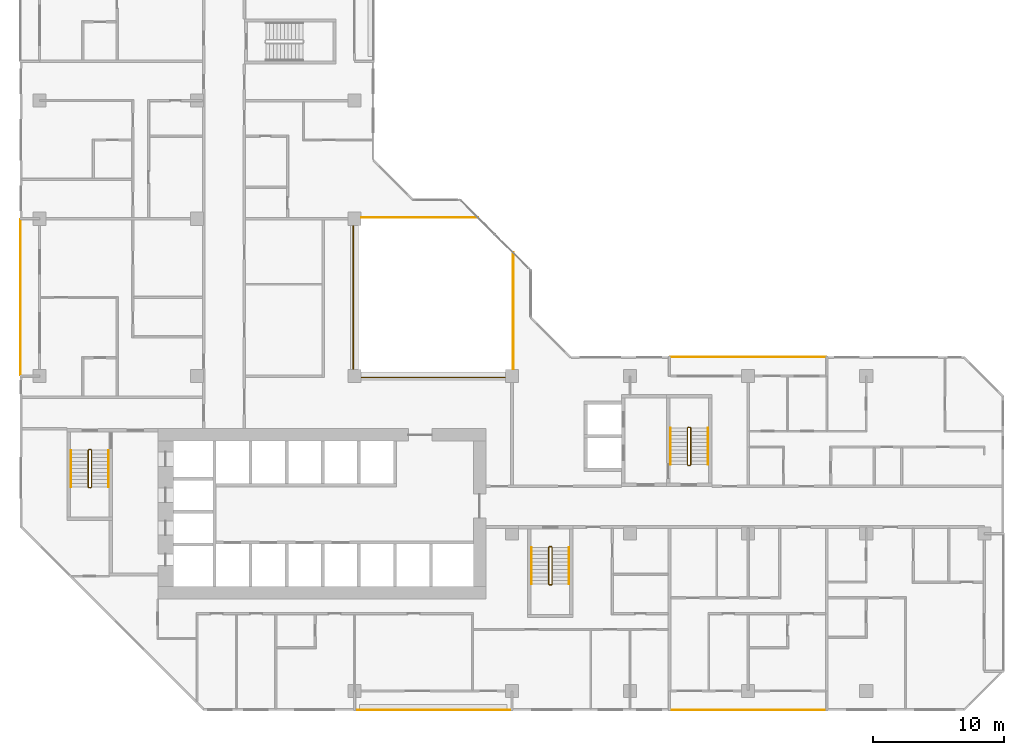
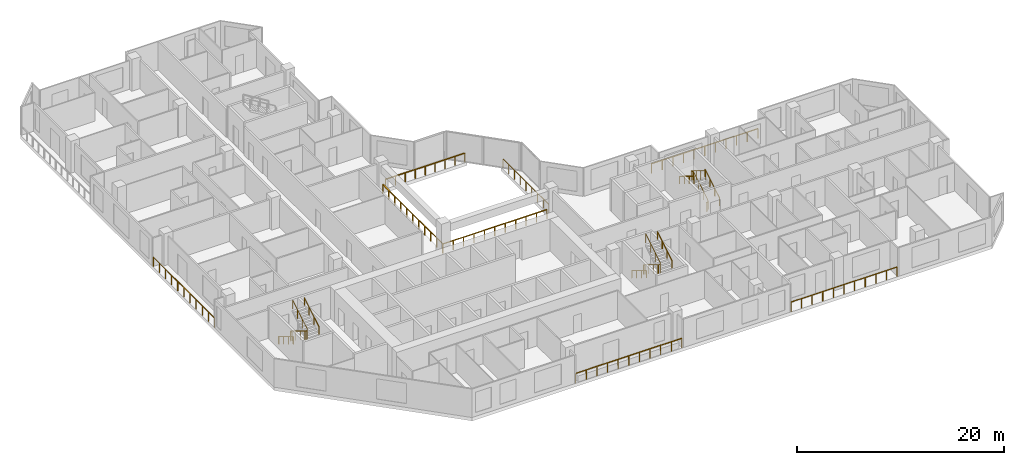
# One storey, part 13 of 14: 16 railings.
"""IFC4 building model written with IfcOpenShell, lengths in metres."""

from ifc_helpers import new_model, si_unit, direction, frame, origin, origin_2d, place, context, subcontext, project, spatial, rectangle, extrude, material, type_object, element, save


model = new_model("IFC4")

# Units and contexts
model_context = context("Model", 3, precision=1e-05, world=origin(), true_north=direction((0.0, 1.0)))
body_context = subcontext(model_context, "Body", "Model", "MODEL_VIEW")
ifc_project = project(units=[si_unit("LENGTHUNIT", "METRE"), si_unit("AREAUNIT", "SQUARE_METRE"), si_unit("VOLUMEUNIT", "CUBIC_METRE"), si_unit("PLANEANGLEUNIT", "RADIAN"), si_unit("MASSUNIT", "GRAM", prefix="KILO")], contexts=[model_context])

# Site, building, storey
site_placement = place(None, origin())
site = spatial("IfcSite", under=ifc_project, at=site_placement, CompositionType="ELEMENT")
building_placement = place(site_placement, origin())
building = spatial("IfcBuilding", under=site, at=building_placement, Name="Chenar Terraces", CompositionType="ELEMENT")
storey_placement = place(building_placement, frame((0.0, 0.0, 110.64990234375)))
storey = spatial("IfcBuildingStorey", under=building, at=storey_placement, Name="L25", CompositionType="ELEMENT", Elevation=110.64990234375)

# Railings
ifc_material_1 = material(Name="Powder-coated steel", Category="steel")
railing_type_1 = type_object("IfcRailingType", Name="Guard 1100 steel rail with glass infill", PredefinedType="GUARDRAIL", material=ifc_material_1)
railing_1_placement = place(storey_placement, frame((23.89990234375, 35.5, 0.0)))
element("IfcRailing", 1, at=railing_1_placement, inside=storey, type_object=railing_type_1, Name="Guard L25-1", PredefinedType="GUARDRAIL", context=body_context, shape_type="SweptSolid", body=[
    extrude(rectangle(XDim=0.06005859375, YDim=0.06005859375, at=origin_2d()), frame((0.0, 0.0, 1.070068359375), z_axis=(0.0, -1.0, 0.0), x_axis=(1.0, 0.0, 0.0)), (0.0, 0.0, 1.0), 11.60009765625),
    extrude(rectangle(XDim=0.06005859375, YDim=0.06005859375, at=origin_2d()), frame((0.0, -11.60009765625, 1.070068359375), z_axis=(1.0, 0.0, 0.0), x_axis=(0.0, 1.0, 0.0)), (0.0, 0.0, 1.0), 11.60009765625),
    extrude(rectangle(XDim=0.050048828125, YDim=0.050048828125, at=origin_2d()), origin(), (0.0, 0.0, 1.0), 1.0400390625),
    extrude(rectangle(XDim=0.050048828125, YDim=0.050048828125, at=origin_2d()), frame((0.0, -1.159912109375, 0.0)), (0.0, 0.0, 1.0), 1.0400390625),
    extrude(rectangle(XDim=0.050048828125, YDim=0.050048828125, at=origin_2d()), frame((0.0, -2.320068359375, 0.0)), (0.0, 0.0, 1.0), 1.0400390625),
    extrude(rectangle(XDim=0.050048828125, YDim=0.050048828125, at=origin_2d()), frame((0.0, -3.47998046875, 0.0)), (0.0, 0.0, 1.0), 1.0400390625),
    extrude(rectangle(XDim=0.050048828125, YDim=0.050048828125, at=origin_2d()), frame((0.0, -4.64013671875, 0.0)), (0.0, 0.0, 1.0), 1.0400390625),
    extrude(rectangle(XDim=0.050048828125, YDim=0.050048828125, at=origin_2d()), frame((0.0, -5.800048828125, 0.0)), (0.0, 0.0, 1.0), 1.0400390625),
    extrude(rectangle(XDim=0.050048828125, YDim=0.050048828125, at=origin_2d()), frame((0.0, -6.9599609375, 0.0)), (0.0, 0.0, 1.0), 1.0400390625),
    extrude(rectangle(XDim=0.050048828125, YDim=0.050048828125, at=origin_2d()), frame((0.0, -8.1201171875, 0.0)), (0.0, 0.0, 1.0), 1.0400390625),
    extrude(rectangle(XDim=0.050048828125, YDim=0.050048828125, at=origin_2d()), frame((0.0, -9.280029296875, 0.0)), (0.0, 0.0, 1.0), 1.0400390625),
    extrude(rectangle(XDim=0.050048828125, YDim=0.050048828125, at=origin_2d()), frame((0.0, -10.440185546875, 0.0)), (0.0, 0.0, 1.0), 1.0400390625),
    extrude(rectangle(XDim=0.050048828125, YDim=0.050048828125, at=origin_2d()), frame((0.0, -11.60009765625, 0.0)), (0.0, 0.0, 1.0), 1.0400390625),
    extrude(rectangle(XDim=0.050048828125, YDim=0.050048828125, at=origin_2d()), frame((1.159912109375, -11.60009765625, 0.0)), (0.0, 0.0, 1.0), 1.0400390625),
    extrude(rectangle(XDim=0.050048828125, YDim=0.050048828125, at=origin_2d()), frame((2.320068359375, -11.60009765625, 0.0)), (0.0, 0.0, 1.0), 1.0400390625),
    extrude(rectangle(XDim=0.050048828125, YDim=0.050048828125, at=origin_2d()), frame((3.47998046875, -11.60009765625, 0.0)), (0.0, 0.0, 1.0), 1.0400390625),
    extrude(rectangle(XDim=0.050048828125, YDim=0.050048828125, at=origin_2d()), frame((4.64013671875, -11.60009765625, 0.0)), (0.0, 0.0, 1.0), 1.0400390625),
    extrude(rectangle(XDim=0.050048828125, YDim=0.050048828125, at=origin_2d()), frame((5.800048828125, -11.60009765625, 0.0)), (0.0, 0.0, 1.0), 1.0400390625),
    extrude(rectangle(XDim=0.050048828125, YDim=0.050048828125, at=origin_2d()), frame((6.9599609375, -11.60009765625, 0.0)), (0.0, 0.0, 1.0), 1.0400390625),
    extrude(rectangle(XDim=0.050048828125, YDim=0.050048828125, at=origin_2d()), frame((8.1201171875, -11.60009765625, 0.0)), (0.0, 0.0, 1.0), 1.0400390625),
    extrude(rectangle(XDim=0.050048828125, YDim=0.050048828125, at=origin_2d()), frame((9.280029296875, -11.60009765625, 0.0)), (0.0, 0.0, 1.0), 1.0400390625),
    extrude(rectangle(XDim=0.050048828125, YDim=0.050048828125, at=origin_2d()), frame((10.440185546875, -11.60009765625, 0.0)), (0.0, 0.0, 1.0), 1.0400390625),
    extrude(rectangle(XDim=0.050048828125, YDim=0.050048828125, at=origin_2d()), frame((11.60009765625, -11.60009765625, 0.0)), (0.0, 0.0, 1.0), 1.0400390625),
])
railing_2_placement = place(storey_placement, frame((24.550048828125, 36.10009765625, 0.0)))
element("IfcRailing", 2, at=railing_2_placement, inside=storey, type_object=railing_type_1, Name="Guard L25-2", PredefinedType="GUARDRAIL", context=body_context, shape_type="SweptSolid", body=[
    extrude(rectangle(XDim=0.06005859375, YDim=0.06005859375, at=origin_2d()), frame((0.0, 0.0, 1.070068359375), z_axis=(1.0, 0.0, 0.0), x_axis=(0.0, 1.0, 0.0)), (0.0, 0.0, 1.0), 8.849853515625),
    extrude(rectangle(XDim=0.050048828125, YDim=0.050048828125, at=origin_2d()), origin(), (0.0, 0.0, 1.0), 1.0400390625),
    extrude(rectangle(XDim=0.050048828125, YDim=0.050048828125, at=origin_2d()), frame((1.106201171875, 0.0, 0.0)), (0.0, 0.0, 1.0), 1.0400390625),
    extrude(rectangle(XDim=0.050048828125, YDim=0.050048828125, at=origin_2d()), frame((2.21240234375, 0.0, 0.0)), (0.0, 0.0, 1.0), 1.0400390625),
    extrude(rectangle(XDim=0.050048828125, YDim=0.050048828125, at=origin_2d()), frame((3.318603515625, 0.0, 0.0)), (0.0, 0.0, 1.0), 1.0400390625),
    extrude(rectangle(XDim=0.050048828125, YDim=0.050048828125, at=origin_2d()), frame((4.4248046875, 0.0, 0.0)), (0.0, 0.0, 1.0), 1.0400390625),
    extrude(rectangle(XDim=0.050048828125, YDim=0.050048828125, at=origin_2d()), frame((5.53125, 0.0, 0.0)), (0.0, 0.0, 1.0), 1.0400390625),
    extrude(rectangle(XDim=0.050048828125, YDim=0.050048828125, at=origin_2d()), frame((6.637451171875, 0.0, 0.0)), (0.0, 0.0, 1.0), 1.0400390625),
    extrude(rectangle(XDim=0.050048828125, YDim=0.050048828125, at=origin_2d()), frame((7.74365234375, 0.0, 0.0)), (0.0, 0.0, 1.0), 1.0400390625),
    extrude(rectangle(XDim=0.050048828125, YDim=0.050048828125, at=origin_2d()), frame((8.849853515625, 0.0, 0.0)), (0.0, 0.0, 1.0), 1.0400390625),
])
railing_3_placement = place(storey_placement, frame((36.10009765625, 24.550048828125, 0.0)))
element("IfcRailing", 3, at=railing_3_placement, inside=storey, type_object=railing_type_1, Name="Guard L25-3", PredefinedType="GUARDRAIL", context=body_context, shape_type="SweptSolid", body=[
    extrude(rectangle(XDim=0.06005859375, YDim=0.06005859375, at=origin_2d()), frame((0.0, 0.0, 1.070068359375), z_axis=(0.0, 1.0, 0.0), x_axis=(-1.0, 0.0, 0.0)), (0.0, 0.0, 1.0), 8.849853515625),
    extrude(rectangle(XDim=0.050048828125, YDim=0.050048828125, at=origin_2d()), origin(), (0.0, 0.0, 1.0), 1.0400390625),
    extrude(rectangle(XDim=0.050048828125, YDim=0.050048828125, at=origin_2d()), frame((0.0, 1.106201171875, 0.0)), (0.0, 0.0, 1.0), 1.0400390625),
    extrude(rectangle(XDim=0.050048828125, YDim=0.050048828125, at=origin_2d()), frame((0.0, 2.21240234375, 0.0)), (0.0, 0.0, 1.0), 1.0400390625),
    extrude(rectangle(XDim=0.050048828125, YDim=0.050048828125, at=origin_2d()), frame((0.0, 3.318603515625, 0.0)), (0.0, 0.0, 1.0), 1.0400390625),
    extrude(rectangle(XDim=0.050048828125, YDim=0.050048828125, at=origin_2d()), frame((0.0, 4.4248046875, 0.0)), (0.0, 0.0, 1.0), 1.0400390625),
    extrude(rectangle(XDim=0.050048828125, YDim=0.050048828125, at=origin_2d()), frame((0.0, 5.53125, 0.0)), (0.0, 0.0, 1.0), 1.0400390625),
    extrude(rectangle(XDim=0.050048828125, YDim=0.050048828125, at=origin_2d()), frame((0.0, 6.637451171875, 0.0)), (0.0, 0.0, 1.0), 1.0400390625),
    extrude(rectangle(XDim=0.050048828125, YDim=0.050048828125, at=origin_2d()), frame((0.0, 7.74365234375, 0.0)), (0.0, 0.0, 1.0), 1.0400390625),
    extrude(rectangle(XDim=0.050048828125, YDim=0.050048828125, at=origin_2d()), frame((0.0, 8.849853515625, 0.0)), (0.0, 0.0, 1.0), 1.0400390625),
])
ifc_material_2 = material(Name="Stainless steel and glass", Category="steel")
railing_type_2 = type_object("IfcRailingType", Name="Loggia guard 1150", PredefinedType="GUARDRAIL", material=ifc_material_2)
railing_4_placement = place(storey_placement, frame((59.925048828125, 25.449951171875, 0.0)))
element("IfcRailing", 4, at=railing_4_placement, inside=storey, type_object=railing_type_2, Name="Loggia guard", PredefinedType="GUARDRAIL", context=body_context, shape_type="SweptSolid", body=[
    extrude(rectangle(XDim=0.048095703125, YDim=0.048095703125, at=origin_2d()), frame((0.0, 0.0, 1.1259765625), z_axis=(-1.0, 0.0, 0.0), x_axis=(0.0, -1.0, 0.0)), (0.0, 0.0, 1.0), 11.85009765625),
    extrude(rectangle(XDim=0.0419921875, YDim=0.0419921875, at=origin_2d()), origin(), (0.0, 0.0, 1.0), 1.101806640625),
    extrude(rectangle(XDim=0.0419921875, YDim=0.0419921875, at=origin_2d()), frame((-1.18505859375, 0.0, 0.0)), (0.0, 0.0, 1.0), 1.101806640625),
    extrude(rectangle(XDim=0.0419921875, YDim=0.0419921875, at=origin_2d()), frame((-2.3701171875, 0.0, 0.0)), (0.0, 0.0, 1.0), 1.101806640625),
    extrude(rectangle(XDim=0.0419921875, YDim=0.0419921875, at=origin_2d()), frame((-3.554931640625, 0.0, 0.0)), (0.0, 0.0, 1.0), 1.101806640625),
    extrude(rectangle(XDim=0.0419921875, YDim=0.0419921875, at=origin_2d()), frame((-4.739990234375, 0.0, 0.0)), (0.0, 0.0, 1.0), 1.101806640625),
    extrude(rectangle(XDim=0.0419921875, YDim=0.0419921875, at=origin_2d()), frame((-5.925048828125, 0.0, 0.0)), (0.0, 0.0, 1.0), 1.101806640625),
    extrude(rectangle(XDim=0.0419921875, YDim=0.0419921875, at=origin_2d()), frame((-7.110107421875, 0.0, 0.0)), (0.0, 0.0, 1.0), 1.101806640625),
    extrude(rectangle(XDim=0.0419921875, YDim=0.0419921875, at=origin_2d()), frame((-8.295166015625, 0.0, 0.0)), (0.0, 0.0, 1.0), 1.101806640625),
    extrude(rectangle(XDim=0.0419921875, YDim=0.0419921875, at=origin_2d()), frame((-9.47998046875, 0.0, 0.0)), (0.0, 0.0, 1.0), 1.101806640625),
    extrude(rectangle(XDim=0.0419921875, YDim=0.0419921875, at=origin_2d()), frame((-10.6650390625, 0.0, 0.0)), (0.0, 0.0, 1.0), 1.101806640625),
    extrude(rectangle(XDim=0.0419921875, YDim=0.0419921875, at=origin_2d()), frame((-11.85009765625, 0.0, 0.0)), (0.0, 0.0, 1.0), 1.101806640625),
])
railing_5_placement = place(storey_placement, frame((24.074951171875, -1.449951171875, 0.0)))
element("IfcRailing", 5, at=railing_5_placement, inside=storey, type_object=railing_type_2, Name="Loggia guard", PredefinedType="GUARDRAIL", context=body_context, shape_type="SweptSolid", body=[
    extrude(rectangle(XDim=0.048095703125, YDim=0.048095703125, at=origin_2d()), frame((0.0, 0.0, 1.1259765625), z_axis=(1.0, 0.0, 0.0), x_axis=(0.0, 1.0, 0.0)), (0.0, 0.0, 1.0), 11.85009765625),
    extrude(rectangle(XDim=0.0419921875, YDim=0.0419921875, at=origin_2d()), origin(), (0.0, 0.0, 1.0), 1.101806640625),
    extrude(rectangle(XDim=0.0419921875, YDim=0.0419921875, at=origin_2d()), frame((1.18505859375, 0.0, 0.0)), (0.0, 0.0, 1.0), 1.101806640625),
    extrude(rectangle(XDim=0.0419921875, YDim=0.0419921875, at=origin_2d()), frame((2.3701171875, 0.0, 0.0)), (0.0, 0.0, 1.0), 1.101806640625),
    extrude(rectangle(XDim=0.0419921875, YDim=0.0419921875, at=origin_2d()), frame((3.554931640625, 0.0, 0.0)), (0.0, 0.0, 1.0), 1.101806640625),
    extrude(rectangle(XDim=0.0419921875, YDim=0.0419921875, at=origin_2d()), frame((4.739990234375, 0.0, 0.0)), (0.0, 0.0, 1.0), 1.101806640625),
    extrude(rectangle(XDim=0.0419921875, YDim=0.0419921875, at=origin_2d()), frame((5.925048828125, 0.0, 0.0)), (0.0, 0.0, 1.0), 1.101806640625),
    extrude(rectangle(XDim=0.0419921875, YDim=0.0419921875, at=origin_2d()), frame((7.110107421875, 0.0, 0.0)), (0.0, 0.0, 1.0), 1.101806640625),
    extrude(rectangle(XDim=0.0419921875, YDim=0.0419921875, at=origin_2d()), frame((8.295166015625, 0.0, 0.0)), (0.0, 0.0, 1.0), 1.101806640625),
    extrude(rectangle(XDim=0.0419921875, YDim=0.0419921875, at=origin_2d()), frame((9.47998046875, 0.0, 0.0)), (0.0, 0.0, 1.0), 1.101806640625),
    extrude(rectangle(XDim=0.0419921875, YDim=0.0419921875, at=origin_2d()), frame((10.6650390625, 0.0, 0.0)), (0.0, 0.0, 1.0), 1.101806640625),
    extrude(rectangle(XDim=0.0419921875, YDim=0.0419921875, at=origin_2d()), frame((11.85009765625, 0.0, 0.0)), (0.0, 0.0, 1.0), 1.101806640625),
])
railing_6_placement = place(storey_placement, frame((48.074951171875, -1.449951171875, 0.0)))
element("IfcRailing", 6, at=railing_6_placement, inside=storey, type_object=railing_type_2, Name="Loggia guard", PredefinedType="GUARDRAIL", context=body_context, shape_type="SweptSolid", body=[
    extrude(rectangle(XDim=0.048095703125, YDim=0.048095703125, at=origin_2d()), frame((0.0, 0.0, 1.1259765625), z_axis=(1.0, 0.0, 0.0), x_axis=(0.0, 1.0, 0.0)), (0.0, 0.0, 1.0), 11.85009765625),
    extrude(rectangle(XDim=0.0419921875, YDim=0.0419921875, at=origin_2d()), origin(), (0.0, 0.0, 1.0), 1.101806640625),
    extrude(rectangle(XDim=0.0419921875, YDim=0.0419921875, at=origin_2d()), frame((1.18505859375, 0.0, 0.0)), (0.0, 0.0, 1.0), 1.101806640625),
    extrude(rectangle(XDim=0.0419921875, YDim=0.0419921875, at=origin_2d()), frame((2.3701171875, 0.0, 0.0)), (0.0, 0.0, 1.0), 1.101806640625),
    extrude(rectangle(XDim=0.0419921875, YDim=0.0419921875, at=origin_2d()), frame((3.554931640625, 0.0, 0.0)), (0.0, 0.0, 1.0), 1.101806640625),
    extrude(rectangle(XDim=0.0419921875, YDim=0.0419921875, at=origin_2d()), frame((4.739990234375, 0.0, 0.0)), (0.0, 0.0, 1.0), 1.101806640625),
    extrude(rectangle(XDim=0.0419921875, YDim=0.0419921875, at=origin_2d()), frame((5.925048828125, 0.0, 0.0)), (0.0, 0.0, 1.0), 1.101806640625),
    extrude(rectangle(XDim=0.0419921875, YDim=0.0419921875, at=origin_2d()), frame((7.110107421875, 0.0, 0.0)), (0.0, 0.0, 1.0), 1.101806640625),
    extrude(rectangle(XDim=0.0419921875, YDim=0.0419921875, at=origin_2d()), frame((8.295166015625, 0.0, 0.0)), (0.0, 0.0, 1.0), 1.101806640625),
    extrude(rectangle(XDim=0.0419921875, YDim=0.0419921875, at=origin_2d()), frame((9.47998046875, 0.0, 0.0)), (0.0, 0.0, 1.0), 1.101806640625),
    extrude(rectangle(XDim=0.0419921875, YDim=0.0419921875, at=origin_2d()), frame((10.6650390625, 0.0, 0.0)), (0.0, 0.0, 1.0), 1.101806640625),
    extrude(rectangle(XDim=0.0419921875, YDim=0.0419921875, at=origin_2d()), frame((11.85009765625, 0.0, 0.0)), (0.0, 0.0, 1.0), 1.101806640625),
])
railing_7_placement = place(storey_placement, frame((-1.449951171875, 35.925048828125, 0.0)))
element("IfcRailing", 7, at=railing_7_placement, inside=storey, type_object=railing_type_2, Name="Loggia guard", PredefinedType="GUARDRAIL", context=body_context, shape_type="SweptSolid", body=[
    extrude(rectangle(XDim=0.048095703125, YDim=0.048095703125, at=origin_2d()), frame((0.0, 0.0, 1.1259765625), z_axis=(0.0, -1.0, 0.0), x_axis=(1.0, 0.0, 0.0)), (0.0, 0.0, 1.0), 11.85009765625),
    extrude(rectangle(XDim=0.0419921875, YDim=0.0419921875, at=origin_2d()), origin(), (0.0, 0.0, 1.0), 1.101806640625),
    extrude(rectangle(XDim=0.0419921875, YDim=0.0419921875, at=origin_2d()), frame((0.0, -1.18505859375, 0.0)), (0.0, 0.0, 1.0), 1.101806640625),
    extrude(rectangle(XDim=0.0419921875, YDim=0.0419921875, at=origin_2d()), frame((0.0, -2.3701171875, 0.0)), (0.0, 0.0, 1.0), 1.101806640625),
    extrude(rectangle(XDim=0.0419921875, YDim=0.0419921875, at=origin_2d()), frame((0.0, -3.554931640625, 0.0)), (0.0, 0.0, 1.0), 1.101806640625),
    extrude(rectangle(XDim=0.0419921875, YDim=0.0419921875, at=origin_2d()), frame((0.0, -4.739990234375, 0.0)), (0.0, 0.0, 1.0), 1.101806640625),
    extrude(rectangle(XDim=0.0419921875, YDim=0.0419921875, at=origin_2d()), frame((0.0, -5.925048828125, 0.0)), (0.0, 0.0, 1.0), 1.101806640625),
    extrude(rectangle(XDim=0.0419921875, YDim=0.0419921875, at=origin_2d()), frame((0.0, -7.110107421875, 0.0)), (0.0, 0.0, 1.0), 1.101806640625),
    extrude(rectangle(XDim=0.0419921875, YDim=0.0419921875, at=origin_2d()), frame((0.0, -8.295166015625, 0.0)), (0.0, 0.0, 1.0), 1.101806640625),
    extrude(rectangle(XDim=0.0419921875, YDim=0.0419921875, at=origin_2d()), frame((0.0, -9.47998046875, 0.0)), (0.0, 0.0, 1.0), 1.101806640625),
    extrude(rectangle(XDim=0.0419921875, YDim=0.0419921875, at=origin_2d()), frame((0.0, -10.6650390625, 0.0)), (0.0, 0.0, 1.0), 1.101806640625),
    extrude(rectangle(XDim=0.0419921875, YDim=0.0419921875, at=origin_2d()), frame((0.0, -11.85009765625, 0.0)), (0.0, 0.0, 1.0), 1.101806640625),
])
ifc_material_3 = material(Name="Powder-coated steel", Category="steel")
railing_type_3 = type_object("IfcRailingType", Name="Stair guard 1100", PredefinedType="GUARDRAIL", material=ifc_material_3)
railing_8_placement = place(storey_placement, frame((3.949951171875, 18.35009765625, 3.75)))
element("IfcRailing", 8, at=railing_8_placement, inside=storey, type_object=railing_type_3, Name="L25 ST1 stair guard 1", PredefinedType="GUARDRAIL", context=body_context, shape_type="SweptSolid", body=[
    extrude(rectangle(XDim=0.048095703125, YDim=0.048095703125, at=origin_2d()), frame((0.0, 0.0, 1.076171875), z_axis=(0.0, -0.854202870247, -0.519939858505), x_axis=(1.0, 0.0, 0.0)), (0.0, 0.0, 1.0), 3.278076171875),
    extrude(rectangle(XDim=0.048095703125, YDim=0.048095703125, at=origin_2d()), frame((0.0, -2.800048828125, -0.62841796875), z_axis=(-0.270899902878, -0.270899902878, -0.923702595667), x_axis=(0.707106781187, -0.707106781187, 0.0)), (0.0, 0.0, 1.0), 0.184814453125),
    extrude(rectangle(XDim=0.048095703125, YDim=0.048095703125, at=origin_2d()), frame((-0.050048828125, -2.85009765625, -0.798828125), z_axis=(-1.0, 0.0, 0.0), x_axis=(0.0, -1.0, 0.0)), (0.0, 0.0, 1.0), 0.14990234375),
    extrude(rectangle(XDim=0.048095703125, YDim=0.048095703125, at=origin_2d()), frame((-0.199951171875, -2.85009765625, -0.798828125), z_axis=(-0.707106781187, 0.707106781187, 0.0), x_axis=(-0.707106781187, -0.707106781187, 0.0)), (0.0, 0.0, 1.0), 0.07080078125),
    extrude(rectangle(XDim=0.048095703125, YDim=0.048095703125, at=origin_2d()), frame((-0.25, -2.800048828125, -0.798828125), z_axis=(0.0, 0.854202870247, -0.519939858505), x_axis=(-1.0, 0.0, 0.0)), (0.0, 0.0, 1.0), 3.278076171875),
    extrude(rectangle(XDim=0.048095703125, YDim=0.048095703125, at=origin_2d()), frame((-0.25, 0.0, -2.50341796875), z_axis=(0.270996696079, 0.269674760976, -0.924032636873), x_axis=(-0.705375805398, 0.708833529934, 0.0)), (0.0, 0.0, 1.0), 0.1845703125),
    extrude(rectangle(XDim=0.048095703125, YDim=0.048095703125, at=origin_2d()), frame((-0.199951171875, 0.0498046875, -2.673828125), z_axis=(1.0, 0.0, 0.0), x_axis=(0.0, 1.0, 0.0)), (0.0, 0.0, 1.0), 0.14990234375),
    extrude(rectangle(XDim=0.0419921875, YDim=0.0419921875, at=origin_2d()), origin(), (0.0, 0.0, 1.0), 1.052001953125),
    extrude(rectangle(XDim=0.0419921875, YDim=0.0419921875, at=origin_2d()), frame((0.0, -0.933349609375, -0.568115234375)), (0.0, 0.0, 1.0), 1.052001953125),
    extrude(rectangle(XDim=0.0419921875, YDim=0.0419921875, at=origin_2d()), frame((0.0, -1.86669921875, -1.13623046875)), (0.0, 0.0, 1.0), 1.052001953125),
    extrude(rectangle(XDim=0.0419921875, YDim=0.0419921875, at=origin_2d()), frame((0.0, -2.800048828125, -1.704345703125)), (0.0, 0.0, 1.0), 1.052001953125),
    extrude(rectangle(XDim=0.0419921875, YDim=0.0419921875, at=origin_2d()), frame((-0.050048828125, -2.85009765625, -1.875)), (0.0, 0.0, 1.0), 1.052001953125),
    extrude(rectangle(XDim=0.0419921875, YDim=0.0419921875, at=origin_2d()), frame((-0.199951171875, -2.85009765625, -1.875)), (0.0, 0.0, 1.0), 1.052001953125),
    extrude(rectangle(XDim=0.0419921875, YDim=0.0419921875, at=origin_2d()), frame((-0.25, -2.800048828125, -1.875)), (0.0, 0.0, 1.0), 1.052001953125),
    extrude(rectangle(XDim=0.0419921875, YDim=0.0419921875, at=origin_2d()), frame((-0.25, -1.86669921875, -2.443115234375)), (0.0, 0.0, 1.0), 1.052001953125),
    extrude(rectangle(XDim=0.0419921875, YDim=0.0419921875, at=origin_2d()), frame((-0.25, -0.933349609375, -3.01123046875)), (0.0, 0.0, 1.0), 1.052001953125),
    extrude(rectangle(XDim=0.0419921875, YDim=0.0419921875, at=origin_2d()), frame((-0.25, 0.0, -3.579345703125)), (0.0, 0.0, 1.0), 1.052001953125),
    extrude(rectangle(XDim=0.0419921875, YDim=0.0419921875, at=origin_2d()), frame((-0.199951171875, 0.0498046875, -3.75)), (0.0, 0.0, 1.0), 1.052001953125),
    extrude(rectangle(XDim=0.0419921875, YDim=0.0419921875, at=origin_2d()), frame((-0.050048828125, 0.0498046875, -3.75)), (0.0, 0.0, 1.0), 1.052001953125),
])
railing_9_placement = place(storey_placement, frame((39.050048828125, 10.949951171875, 3.75)))
element("IfcRailing", 9, at=railing_9_placement, inside=storey, type_object=railing_type_3, Name="L25 ST2 stair guard 1", PredefinedType="GUARDRAIL", context=body_context, shape_type="SweptSolid", body=[
    extrude(rectangle(XDim=0.048095703125, YDim=0.048095703125, at=origin_2d()), frame((0.0, 0.0, 1.076171875), z_axis=(0.0, -0.854202870247, -0.519939858505), x_axis=(1.0, 0.0, 0.0)), (0.0, 0.0, 1.0), 3.278076171875),
    extrude(rectangle(XDim=0.048095703125, YDim=0.048095703125, at=origin_2d()), frame((0.0, -2.800048828125, -0.62841796875), z_axis=(-0.270996696079, -0.269674760976, -0.924032636873), x_axis=(0.705375805398, -0.708833529934, 0.0)), (0.0, 0.0, 1.0), 0.1845703125),
    extrude(rectangle(XDim=0.048095703125, YDim=0.048095703125, at=origin_2d()), frame((-0.050048828125, -2.849853515625, -0.798828125), z_axis=(-1.0, 0.0, 0.0), x_axis=(0.0, -1.0, 0.0)), (0.0, 0.0, 1.0), 0.14990234375),
    extrude(rectangle(XDim=0.048095703125, YDim=0.048095703125, at=origin_2d()), frame((-0.199951171875, -2.849853515625, -0.798828125), z_axis=(-0.708833529934, 0.705375805398, 0.0), x_axis=(-0.705375805398, -0.708833529934, 0.0)), (0.0, 0.0, 1.0), 0.070556640625),
    extrude(rectangle(XDim=0.048095703125, YDim=0.048095703125, at=origin_2d()), frame((-0.25, -2.800048828125, -0.798828125), z_axis=(0.0, 0.854202870247, -0.519939858505), x_axis=(-1.0, 0.0, 0.0)), (0.0, 0.0, 1.0), 3.278076171875),
    extrude(rectangle(XDim=0.048095703125, YDim=0.048095703125, at=origin_2d()), frame((-0.25, 0.0, -2.50341796875), z_axis=(0.270899902878, 0.270899902878, -0.923702595667), x_axis=(-0.707106781187, 0.707106781187, 0.0)), (0.0, 0.0, 1.0), 0.184814453125),
    extrude(rectangle(XDim=0.048095703125, YDim=0.048095703125, at=origin_2d()), frame((-0.199951171875, 0.050048828125, -2.673828125), z_axis=(1.0, 0.0, 0.0), x_axis=(0.0, 1.0, 0.0)), (0.0, 0.0, 1.0), 0.14990234375),
    extrude(rectangle(XDim=0.0419921875, YDim=0.0419921875, at=origin_2d()), origin(), (0.0, 0.0, 1.0), 1.052001953125),
    extrude(rectangle(XDim=0.0419921875, YDim=0.0419921875, at=origin_2d()), frame((0.0, -0.933349609375, -0.568115234375)), (0.0, 0.0, 1.0), 1.052001953125),
    extrude(rectangle(XDim=0.0419921875, YDim=0.0419921875, at=origin_2d()), frame((0.0, -1.86669921875, -1.13623046875)), (0.0, 0.0, 1.0), 1.052001953125),
    extrude(rectangle(XDim=0.0419921875, YDim=0.0419921875, at=origin_2d()), frame((0.0, -2.800048828125, -1.704345703125)), (0.0, 0.0, 1.0), 1.052001953125),
    extrude(rectangle(XDim=0.0419921875, YDim=0.0419921875, at=origin_2d()), frame((-0.050048828125, -2.849853515625, -1.875)), (0.0, 0.0, 1.0), 1.052001953125),
    extrude(rectangle(XDim=0.0419921875, YDim=0.0419921875, at=origin_2d()), frame((-0.199951171875, -2.849853515625, -1.875)), (0.0, 0.0, 1.0), 1.052001953125),
    extrude(rectangle(XDim=0.0419921875, YDim=0.0419921875, at=origin_2d()), frame((-0.25, -2.800048828125, -1.875)), (0.0, 0.0, 1.0), 1.052001953125),
    extrude(rectangle(XDim=0.0419921875, YDim=0.0419921875, at=origin_2d()), frame((-0.25, -1.86669921875, -2.443115234375)), (0.0, 0.0, 1.0), 1.052001953125),
    extrude(rectangle(XDim=0.0419921875, YDim=0.0419921875, at=origin_2d()), frame((-0.25, -0.933349609375, -3.01123046875)), (0.0, 0.0, 1.0), 1.052001953125),
    extrude(rectangle(XDim=0.0419921875, YDim=0.0419921875, at=origin_2d()), frame((-0.25, 0.0, -3.579345703125)), (0.0, 0.0, 1.0), 1.052001953125),
    extrude(rectangle(XDim=0.0419921875, YDim=0.0419921875, at=origin_2d()), frame((-0.199951171875, 0.050048828125, -3.75)), (0.0, 0.0, 1.0), 1.052001953125),
    extrude(rectangle(XDim=0.0419921875, YDim=0.0419921875, at=origin_2d()), frame((-0.050048828125, 0.050048828125, -3.75)), (0.0, 0.0, 1.0), 1.052001953125),
])
railing_10_placement = place(storey_placement, frame((49.375, 17.25, 3.75)))
element("IfcRailing", 10, at=railing_10_placement, inside=storey, type_object=railing_type_3, Name="L25 ST3 stair guard 1", PredefinedType="GUARDRAIL", context=body_context, shape_type="SweptSolid", body=[
    extrude(rectangle(XDim=0.048095703125, YDim=0.048095703125, at=origin_2d()), frame((0.0, 0.0, 1.076171875), z_axis=(0.0, 0.854202870247, -0.519939858505), x_axis=(-1.0, 0.0, 0.0)), (0.0, 0.0, 1.0), 3.278076171875),
    extrude(rectangle(XDim=0.048095703125, YDim=0.048095703125, at=origin_2d()), frame((0.0, 2.800048828125, -0.62841796875), z_axis=(0.270899902878, 0.270899902878, -0.923702595667), x_axis=(-0.707106781187, 0.707106781187, 0.0)), (0.0, 0.0, 1.0), 0.184814453125),
    extrude(rectangle(XDim=0.048095703125, YDim=0.048095703125, at=origin_2d()), frame((0.050048828125, 2.85009765625, -0.798828125), z_axis=(1.0, 0.0, 0.0), x_axis=(0.0, 1.0, 0.0)), (0.0, 0.0, 1.0), 0.14990234375),
    extrude(rectangle(XDim=0.048095703125, YDim=0.048095703125, at=origin_2d()), frame((0.199951171875, 2.85009765625, -0.798828125), z_axis=(0.707106781187, -0.707106781187, 0.0), x_axis=(0.707106781187, 0.707106781187, 0.0)), (0.0, 0.0, 1.0), 0.07080078125),
    extrude(rectangle(XDim=0.048095703125, YDim=0.048095703125, at=origin_2d()), frame((0.25, 2.800048828125, -0.798828125), z_axis=(0.0, -0.854202870247, -0.519939858505), x_axis=(1.0, 0.0, 0.0)), (0.0, 0.0, 1.0), 3.278076171875),
    extrude(rectangle(XDim=0.048095703125, YDim=0.048095703125, at=origin_2d()), frame((0.25, 0.0, -2.50341796875), z_axis=(-0.270899902878, -0.270899902878, -0.923702595667), x_axis=(0.707106781187, -0.707106781187, 0.0)), (0.0, 0.0, 1.0), 0.184814453125),
    extrude(rectangle(XDim=0.048095703125, YDim=0.048095703125, at=origin_2d()), frame((0.199951171875, -0.050048828125, -2.673828125), z_axis=(-1.0, 0.0, 0.0), x_axis=(0.0, -1.0, 0.0)), (0.0, 0.0, 1.0), 0.14990234375),
    extrude(rectangle(XDim=0.0419921875, YDim=0.0419921875, at=origin_2d()), origin(), (0.0, 0.0, 1.0), 1.052001953125),
    extrude(rectangle(XDim=0.0419921875, YDim=0.0419921875, at=origin_2d()), frame((0.0, 0.933349609375, -0.568115234375)), (0.0, 0.0, 1.0), 1.052001953125),
    extrude(rectangle(XDim=0.0419921875, YDim=0.0419921875, at=origin_2d()), frame((0.0, 1.86669921875, -1.13623046875)), (0.0, 0.0, 1.0), 1.052001953125),
    extrude(rectangle(XDim=0.0419921875, YDim=0.0419921875, at=origin_2d()), frame((0.0, 2.800048828125, -1.704345703125)), (0.0, 0.0, 1.0), 1.052001953125),
    extrude(rectangle(XDim=0.0419921875, YDim=0.0419921875, at=origin_2d()), frame((0.050048828125, 2.85009765625, -1.875)), (0.0, 0.0, 1.0), 1.052001953125),
    extrude(rectangle(XDim=0.0419921875, YDim=0.0419921875, at=origin_2d()), frame((0.199951171875, 2.85009765625, -1.875)), (0.0, 0.0, 1.0), 1.052001953125),
    extrude(rectangle(XDim=0.0419921875, YDim=0.0419921875, at=origin_2d()), frame((0.25, 2.800048828125, -1.875)), (0.0, 0.0, 1.0), 1.052001953125),
    extrude(rectangle(XDim=0.0419921875, YDim=0.0419921875, at=origin_2d()), frame((0.25, 1.86669921875, -2.443115234375)), (0.0, 0.0, 1.0), 1.052001953125),
    extrude(rectangle(XDim=0.0419921875, YDim=0.0419921875, at=origin_2d()), frame((0.25, 0.933349609375, -3.01123046875)), (0.0, 0.0, 1.0), 1.052001953125),
    extrude(rectangle(XDim=0.0419921875, YDim=0.0419921875, at=origin_2d()), frame((0.25, 0.0, -3.579345703125)), (0.0, 0.0, 1.0), 1.052001953125),
    extrude(rectangle(XDim=0.0419921875, YDim=0.0419921875, at=origin_2d()), frame((0.199951171875, -0.050048828125, -3.75)), (0.0, 0.0, 1.0), 1.052001953125),
    extrude(rectangle(XDim=0.0419921875, YDim=0.0419921875, at=origin_2d()), frame((0.050048828125, -0.050048828125, -3.75)), (0.0, 0.0, 1.0), 1.052001953125),
])
ifc_material_4 = material(Name="Powder-coated steel", Category="steel")
railing_type_4 = type_object("IfcRailingType", Name="Stair handrail 900", PredefinedType="HANDRAIL", material=ifc_material_4)
railing_11_placement = place(storey_placement, frame((2.39990234375, 18.35009765625, 0.170654296875)))
element("IfcRailing", 11, at=railing_11_placement, inside=storey, type_object=railing_type_4, Name="L25 ST1 stair handrail 1", PredefinedType="HANDRAIL", context=body_context, shape_type="SweptSolid", body=[
    extrude(rectangle(XDim=0.048095703125, YDim=0.048095703125, at=origin_2d()), frame((0.0, 0.0, 0.8759765625), z_axis=(0.0, -0.854202870247, 0.519939858505), x_axis=(1.0, 0.0, 0.0)), (0.0, 0.0, 1.0), 3.278076171875),
    extrude(rectangle(XDim=0.0419921875, YDim=0.0419921875, at=origin_2d()), origin(), (0.0, 0.0, 1.0), 0.851806640625),
    extrude(rectangle(XDim=0.0419921875, YDim=0.0419921875, at=origin_2d()), frame((0.0, -0.933349609375, 0.568115234375)), (0.0, 0.0, 1.0), 0.851806640625),
    extrude(rectangle(XDim=0.0419921875, YDim=0.0419921875, at=origin_2d()), frame((0.0, -1.86669921875, 1.13623046875)), (0.0, 0.0, 1.0), 0.851806640625),
    extrude(rectangle(XDim=0.0419921875, YDim=0.0419921875, at=origin_2d()), frame((0.0, -2.800048828125, 1.704345703125)), (0.0, 0.0, 1.0), 0.851806640625),
])
railing_12_placement = place(storey_placement, frame((5.25, 15.550048828125, 2.045654296875)))
element("IfcRailing", 12, at=railing_12_placement, inside=storey, type_object=railing_type_4, Name="L25 ST1 stair handrail 2", PredefinedType="HANDRAIL", context=body_context, shape_type="SweptSolid", body=[
    extrude(rectangle(XDim=0.048095703125, YDim=0.048095703125, at=origin_2d()), frame((0.0, 0.0, 0.8759765625), z_axis=(0.0, 0.854202870247, 0.519939858505), x_axis=(-1.0, 0.0, 0.0)), (0.0, 0.0, 1.0), 3.278076171875),
    extrude(rectangle(XDim=0.0419921875, YDim=0.0419921875, at=origin_2d()), origin(), (0.0, 0.0, 1.0), 0.851806640625),
    extrude(rectangle(XDim=0.0419921875, YDim=0.0419921875, at=origin_2d()), frame((0.0, 0.933349609375, 0.568115234375)), (0.0, 0.0, 1.0), 0.851806640625),
    extrude(rectangle(XDim=0.0419921875, YDim=0.0419921875, at=origin_2d()), frame((0.0, 1.86669921875, 1.13623046875)), (0.0, 0.0, 1.0), 0.851806640625),
    extrude(rectangle(XDim=0.0419921875, YDim=0.0419921875, at=origin_2d()), frame((0.0, 2.800048828125, 1.704345703125)), (0.0, 0.0, 1.0), 0.851806640625),
])
railing_13_placement = place(storey_placement, frame((37.5, 10.949951171875, 0.170654296875)))
element("IfcRailing", 13, at=railing_13_placement, inside=storey, type_object=railing_type_4, Name="L25 ST2 stair handrail 1", PredefinedType="HANDRAIL", context=body_context, shape_type="SweptSolid", body=[
    extrude(rectangle(XDim=0.048095703125, YDim=0.048095703125, at=origin_2d()), frame((0.0, 0.0, 0.8759765625), z_axis=(0.0, -0.854202870247, 0.519939858505), x_axis=(1.0, 0.0, 0.0)), (0.0, 0.0, 1.0), 3.278076171875),
    extrude(rectangle(XDim=0.0419921875, YDim=0.0419921875, at=origin_2d()), origin(), (0.0, 0.0, 1.0), 0.851806640625),
    extrude(rectangle(XDim=0.0419921875, YDim=0.0419921875, at=origin_2d()), frame((0.0, -0.933349609375, 0.568115234375)), (0.0, 0.0, 1.0), 0.851806640625),
    extrude(rectangle(XDim=0.0419921875, YDim=0.0419921875, at=origin_2d()), frame((0.0, -1.86669921875, 1.13623046875)), (0.0, 0.0, 1.0), 0.851806640625),
    extrude(rectangle(XDim=0.0419921875, YDim=0.0419921875, at=origin_2d()), frame((0.0, -2.800048828125, 1.704345703125)), (0.0, 0.0, 1.0), 0.851806640625),
])
for number, where, name in (
    (14, (40.35009765625, 8.14990234375, 2.045654296875), "L25 ST2 stair handrail 2"),
    (15, (50.925048828125, 17.25, 0.170654296875), "L25 ST3 stair handrail 1"),
):
    element("IfcRailing", number, at=place(storey_placement, frame(where)), inside=storey, type_object=railing_type_4, Name=name, PredefinedType="HANDRAIL", context=body_context, shape_type="SweptSolid", body=[
        extrude(rectangle(XDim=0.048095703125, YDim=0.048095703125, at=origin_2d()), frame((0.0, 0.0, 0.8759765625), z_axis=(0.0, 0.854202870247, 0.519939858505), x_axis=(-1.0, 0.0, 0.0)), (0.0, 0.0, 1.0), 3.278076171875),
        extrude(rectangle(XDim=0.0419921875, YDim=0.0419921875, at=origin_2d()), origin(), (0.0, 0.0, 1.0), 0.851806640625),
        extrude(rectangle(XDim=0.0419921875, YDim=0.0419921875, at=origin_2d()), frame((0.0, 0.933349609375, 0.568115234375)), (0.0, 0.0, 1.0), 0.851806640625),
        extrude(rectangle(XDim=0.0419921875, YDim=0.0419921875, at=origin_2d()), frame((0.0, 1.86669921875, 1.13623046875)), (0.0, 0.0, 1.0), 0.851806640625),
        extrude(rectangle(XDim=0.0419921875, YDim=0.0419921875, at=origin_2d()), frame((0.0, 2.800048828125, 1.704345703125)), (0.0, 0.0, 1.0), 0.851806640625),
    ])
railing_14_placement = place(storey_placement, frame((48.074951171875, 20.050048828125, 2.045654296875)))
element("IfcRailing", 16, at=railing_14_placement, inside=storey, type_object=railing_type_4, Name="L25 ST3 stair handrail 2", PredefinedType="HANDRAIL", context=body_context, shape_type="SweptSolid", body=[
    extrude(rectangle(XDim=0.048095703125, YDim=0.048095703125, at=origin_2d()), frame((0.0, 0.0, 0.8759765625), z_axis=(0.0, -0.854202870247, 0.519939858505), x_axis=(1.0, 0.0, 0.0)), (0.0, 0.0, 1.0), 3.278076171875),
    extrude(rectangle(XDim=0.0419921875, YDim=0.0419921875, at=origin_2d()), origin(), (0.0, 0.0, 1.0), 0.851806640625),
    extrude(rectangle(XDim=0.0419921875, YDim=0.0419921875, at=origin_2d()), frame((0.0, -0.933349609375, 0.568115234375)), (0.0, 0.0, 1.0), 0.851806640625),
    extrude(rectangle(XDim=0.0419921875, YDim=0.0419921875, at=origin_2d()), frame((0.0, -1.86669921875, 1.13623046875)), (0.0, 0.0, 1.0), 0.851806640625),
    extrude(rectangle(XDim=0.0419921875, YDim=0.0419921875, at=origin_2d()), frame((0.0, -2.800048828125, 1.704345703125)), (0.0, 0.0, 1.0), 0.851806640625),
])

save(model, "model.ifc")
